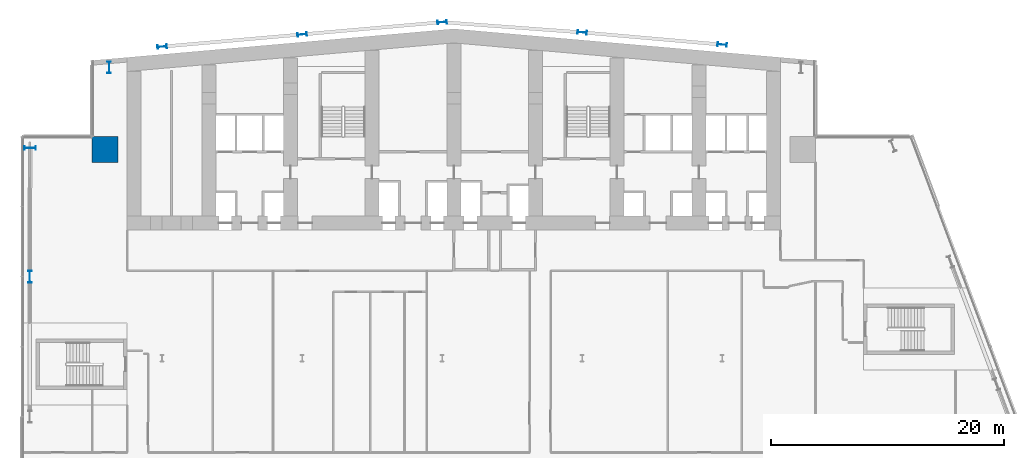
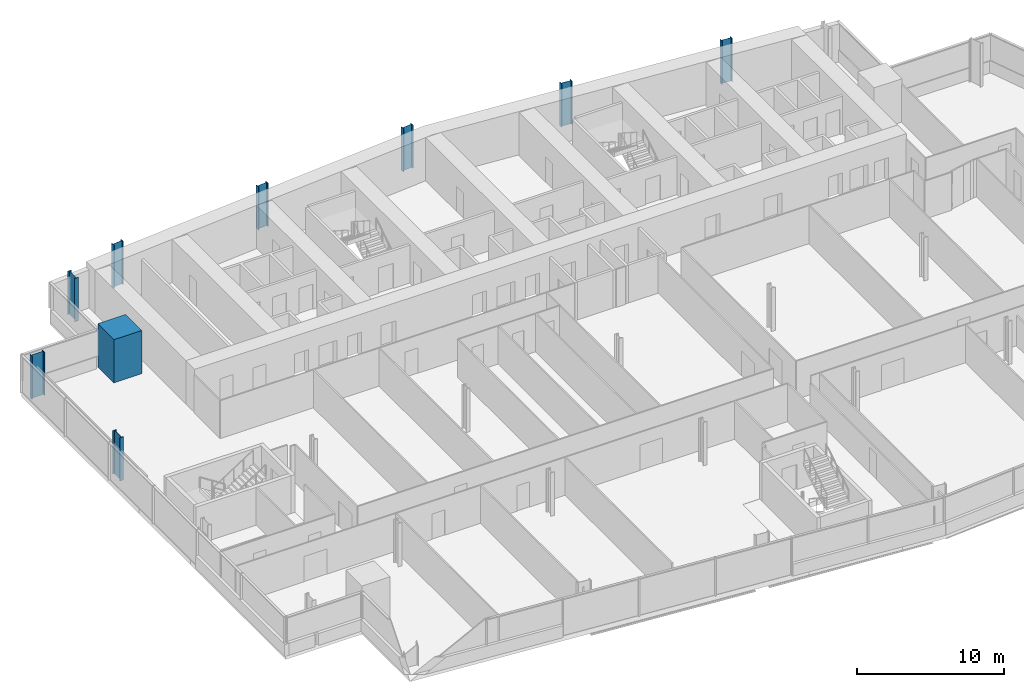
# One storey, part 2 of 24: 9 columns.
"""IFC4 building model written with IfcOpenShell, lengths in metres."""

from ifc_helpers import new_model, si_unit, direction, frame, origin, origin_2d, place, context, subcontext, project, spatial, rectangle, i_section, extrude, material, material_profile, profile_set, type_object, element, save


model = new_model("IFC4")

# Units and contexts
model_context = context("Model", 3, precision=1e-05, world=origin(), true_north=direction((0.0, 1.0)))
body_context = subcontext(model_context, "Body", "Model", "MODEL_VIEW")
ifc_project = project(units=[si_unit("LENGTHUNIT", "METRE"), si_unit("AREAUNIT", "SQUARE_METRE"), si_unit("VOLUMEUNIT", "CUBIC_METRE"), si_unit("PLANEANGLEUNIT", "RADIAN"), si_unit("MASSUNIT", "GRAM", prefix="KILO")], contexts=[model_context])

# Site, building, storey
site_placement = place(None, origin())
site = spatial("IfcSite", under=ifc_project, at=site_placement, CompositionType="ELEMENT")
building_placement = place(site_placement, origin())
building = spatial("IfcBuilding", under=site, at=building_placement, Name="Wharfspan Tower", CompositionType="ELEMENT")
storey_placement = place(building_placement, frame((0.0, 0.0, 88.300049)))
storey = spatial("IfcBuildingStorey", under=building, at=storey_placement, Name="L19", CompositionType="ELEMENT", Elevation=88.300049)

# Columns
ifc_material_1 = material(Name="Steel S355J2", Category="steel")
ifc_material_profile_1 = material_profile(ifc_material_1, i_section(OverallWidth=0.302002, OverallDepth=1.008057, WebThickness=0.020996, FlangeThickness=0.040039, FilletRadius=0.030029, at=origin_2d()))
ifc_profile_set_1 = profile_set([ifc_material_profile_1], Name="Steel S355J2")
column_type_1 = type_object("IfcColumnType", Name="Column HEM 1000", PredefinedType="COLUMN", material=ifc_profile_set_1)
for number, where, z_axis, x_axis, name in (
    (1, (7.466553, 47.933594, 0.0), (0.0, 0.0, 1.0), (-1.0, 0.0, 0.0), "Perimeter column PNRW-V.1 L19"),
    (2, (0.684814, 41.03418, 0.0), (0.0, 0.0, 1.0), (0.0, 1.0, 0.0), "Perimeter column PNRW-H.1 L19"),
    (3, (0.659912, 30.0, 0.0), (0.0, 0.0, 1.0), (-1.0, 0.0, 0.0), "Perimeter column PW.1 L19"),
):
    element("IfcColumn", number, at=place(storey_placement, frame(where, z_axis=z_axis, x_axis=x_axis)), inside=storey, type_object=column_type_1, Name=name, PredefinedType="COLUMN", context=body_context, shape_type="SweptSolid", body=[
        extrude(i_section(OverallWidth=0.302002, OverallDepth=1.008057, WebThickness=0.020996, FlangeThickness=0.040039, FilletRadius=0.030029, at=origin_2d()), origin(), (0.0, 0.0, 1.0), 3.599854),
    ])
ifc_material_profile_2 = material_profile(ifc_material_1, i_section(OverallWidth=0.302979, OverallDepth=0.813965, WebThickness=0.020996, FlangeThickness=0.040039, FilletRadius=0.030029, at=origin_2d()))
ifc_profile_set_2 = profile_set([ifc_material_profile_2], Name="Steel S355J2")
column_type_2 = type_object("IfcColumnType", Name="Column HEM 800", PredefinedType="COLUMN", material=ifc_profile_set_2)
for number, where, z_axis, x_axis, name in (
    (4, (12.0, 49.709961, 0.0), (0.0, 0.0, 1.0), (-0.087156, 0.996197, 0.0), "Rear column R.1 L19"),
    (5, (24.0, 50.759766, 0.0), (0.0, 0.0, 1.0), (-0.087156, 0.996197, 0.0), "Rear column R.2 L19"),
    (6, (36.0, 51.80957, 0.0), (0.0, 0.0, 1.0), (-0.087156, 0.996197, 0.0), "Rear column R.3 L19"),
    (7, (48.0, 50.934814, 0.0), (0.0, 0.0, 1.0), (0.087156, 0.996197, 0.0), "Rear column R.4 L19"),
    (8, (60.0, 49.884766, 0.0), (0.0, 0.0, 1.0), (0.087156, 0.996197, 0.0), "Rear column R.5 L19"),
):
    element("IfcColumn", number, at=place(storey_placement, frame(where, z_axis=z_axis, x_axis=x_axis)), inside=storey, type_object=column_type_2, Name=name, PredefinedType="COLUMN", context=body_context, shape_type="SweptSolid", body=[
        extrude(i_section(OverallWidth=0.302979, OverallDepth=0.813965, WebThickness=0.020996, FlangeThickness=0.040039, FilletRadius=0.030029, at=origin_2d()), origin(), (0.0, 0.0, 1.0), 3.599854),
    ])
ifc_material_2 = material(Name="Concrete C70/85", Category="concrete")
ifc_material_profile_3 = material_profile(ifc_material_2, rectangle(XDim=2.199951, YDim=2.199951, at=origin_2d()))
ifc_profile_set_3 = profile_set([ifc_material_profile_3], Name="Concrete C70/85")
column_type_3 = type_object("IfcColumnType", Name="Mega column 2200 C70/85", PredefinedType="COLUMN", material=ifc_profile_set_3)
column_placement = place(storey_placement, frame((7.100098, 40.899902, 0.0), z_axis=(0.0, 0.0, 1.0), x_axis=(1.0, 0.0, 0.0)))
element("IfcColumn", 9, at=column_placement, inside=storey, type_object=column_type_3, Name="Mega column MC2 L19", PredefinedType="COLUMN", context=body_context, shape_type="SweptSolid", body=[
    extrude(rectangle(XDim=2.199951, YDim=2.199951, at=origin_2d()), origin(), (0.0, 0.0, 1.0), 3.599854),
])

save(model, "model.ifc")
